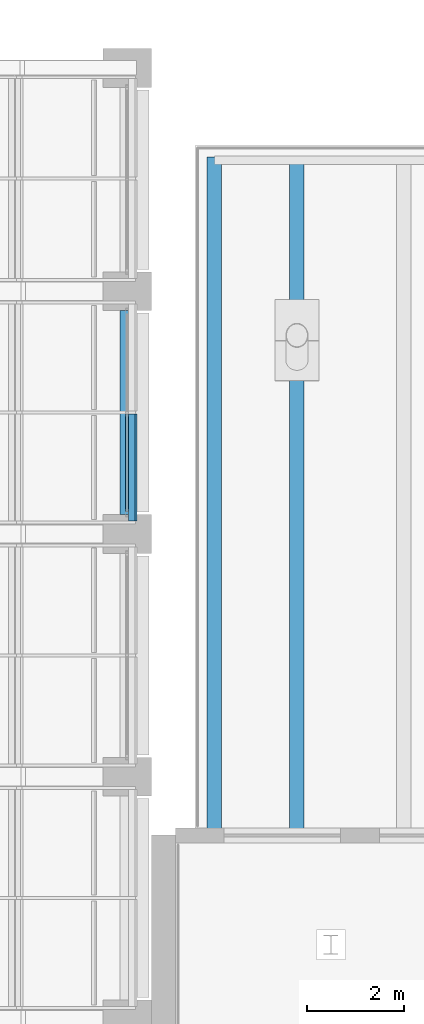
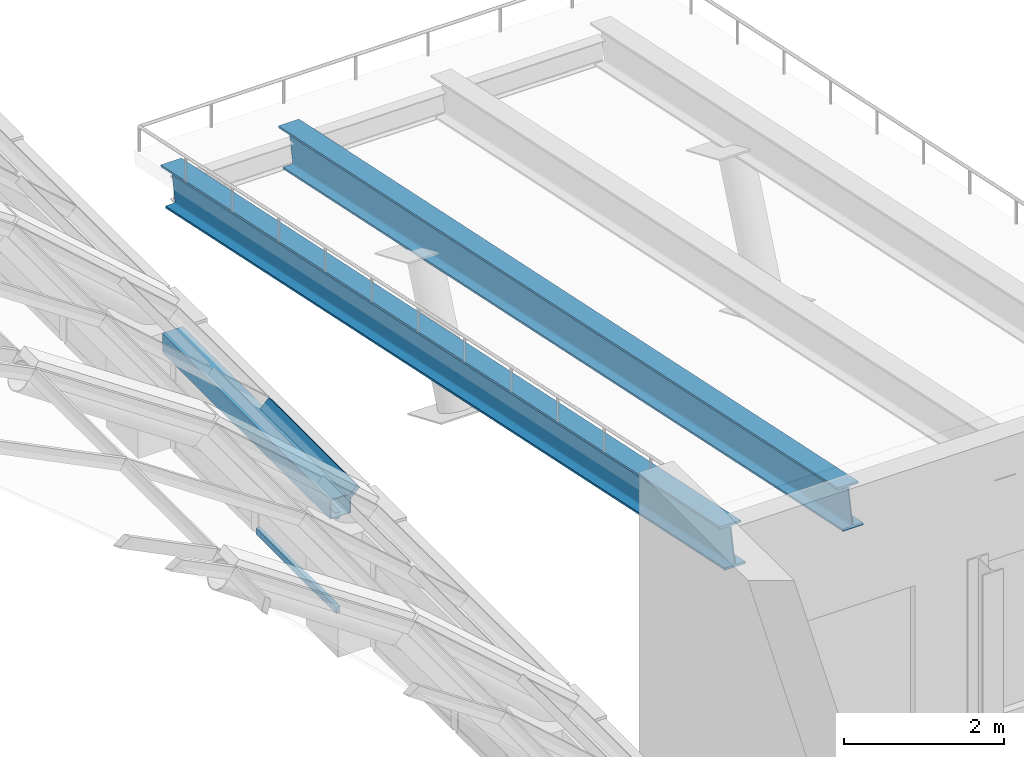
# One storey, part 85 of 182: 3 beams, 3 members, 2 elements without a shape of their own.
"""IFC4 building model written with IfcOpenShell, lengths in metres."""

from ifc_helpers import new_model, si_unit, direction, frame, origin, origin_2d, place, context, subcontext, project, spatial, rectangle, hollow_rectangle, i_section, extrude, material, material_profile, profile_set, type_object, element, aggregate, save


model = new_model("IFC4")

# Units and contexts
model_context = context("Model", 3, precision=1e-05, world=origin(), true_north=direction((0.0, 1.0)))
body_context = subcontext(model_context, "Body", "Model", "MODEL_VIEW")
ifc_project = project(units=[si_unit("LENGTHUNIT", "METRE"), si_unit("AREAUNIT", "SQUARE_METRE"), si_unit("VOLUMEUNIT", "CUBIC_METRE"), si_unit("PLANEANGLEUNIT", "RADIAN"), si_unit("MASSUNIT", "GRAM", prefix="KILO")], contexts=[model_context])

# Site, building, storey
site_placement = place(None, origin())
site = spatial("IfcSite", under=ifc_project, at=site_placement, CompositionType="ELEMENT")
building_placement = place(site_placement, origin())
building = spatial("IfcBuilding", under=site, at=building_placement, Name="Okhra Congress Centre", CompositionType="ELEMENT")
storey_placement = place(building_placement, frame((0.0, 0.0, 7.199951171875)))
storey = spatial("IfcBuildingStorey", under=building, at=storey_placement, Name="L01", CompositionType="ELEMENT", Elevation=7.199951171875)

# Curtain wall, member
ifc_material_1 = material(Name="Aluminium frame with triple glazing", Category="aluminium")
curtain_wall_type_1 = type_object("IfcCurtainWallType", Name="Glazed vault bay curtain wall", PredefinedType="NOTDEFINED", material=ifc_material_1)
curtain_wall_1_placement = place(storey_placement, origin())
curtain_wall_1 = element("IfcCurtainWall", 1, at=curtain_wall_1_placement, inside=storey, type_object=curtain_wall_type_1, Name="Vault glazing bay 27", PredefinedType="NOTDEFINED")
ifc_material_2 = material(Name="Aluminium alloy 6063", Category="aluminium")
ifc_material_profile_1 = material_profile(ifc_material_2, rectangle(XDim=0.06005859375, YDim=0.179931640625, at=origin_2d()), Name="AL 60x180 transom")
ifc_profile_set_1 = profile_set([ifc_material_profile_1], Name="Aluminium alloy 6063")
member_type_1 = type_object("IfcMemberType", Name="Aluminium transom 60x180", PredefinedType="USERDEFINED", material=ifc_profile_set_1)
member_1_placement = place(storey_placement, frame((189.117431640625, 206.26318359375, 1.916015625), z_axis=(0.0, 1.0, 0.0), x_axis=(-0.702636070549, 0.0, 0.711549402616)))
member_1 = element("IfcMember", 2, at=member_1_placement, type_object=member_type_1, Name="Vault transom 27.1.13", ObjectType="TRANSOM", PredefinedType="USERDEFINED", context=body_context, shape_type="SweptSolid", body=[
    extrude(rectangle(XDim=0.06005859375, YDim=0.179931640625, at=origin_2d()), origin(), (0.0, 0.0, 1.0), 2.206787109375),
])
aggregate(curtain_wall_1, [member_1])

# Curtain wall, members
ifc_material_3 = material(Name="Aluminium curtain wall, triple glazing", Category="aluminium")
curtain_wall_type_2 = type_object("IfcCurtainWallType", Name="Curtain wall 2100 module", PredefinedType="NOTDEFINED", material=ifc_material_3)
curtain_wall_2_placement = place(storey_placement, origin())
curtain_wall_2 = element("IfcCurtainWall", 3, at=curtain_wall_2_placement, inside=storey, type_object=curtain_wall_type_2, Name="East bay 8 clerestory glazing", PredefinedType="NOTDEFINED")
ifc_material_4 = material(Name="Aluminium alloy EN AW-6063 T66", Category="aluminium")
ifc_material_profile_2 = material_profile(ifc_material_4, hollow_rectangle(XDim=0.06005859375, YDim=0.10009765625, WallThickness=0.00390625, at=origin_2d()), Name="RHS 60x100x4")
ifc_profile_set_2 = profile_set([ifc_material_profile_2], Name="Aluminium alloy EN AW-6063 T66")
member_type_2 = type_object("IfcMemberType", Name="Curtain wall transom 60x100", PredefinedType="USERDEFINED", material=ifc_profile_set_2)
member_2_placement = place(storey_placement, frame((189.0, 206.4599609375, 0.030029296875), z_axis=(0.0, 1.0, 0.0), x_axis=(-1.0, 0.0, 0.0)))
member_2 = element("IfcMember", 4, at=member_2_placement, type_object=member_type_2, Name="CW4 transom 1.1", ObjectType="TRANSOM", PredefinedType="USERDEFINED", context=body_context, shape_type="SweptSolid", body=[
    extrude(hollow_rectangle(XDim=0.06005859375, YDim=0.10009765625, WallThickness=0.00390625, at=origin_2d()), origin(), (0.0, 0.0, 1.0), 2.010009765625),
])
member_3_placement = place(storey_placement, frame((189.0, 206.4599609375, 1.469970703125), z_axis=(0.0, 1.0, 0.0), x_axis=(-1.0, 0.0, 0.0)))
member_3 = element("IfcMember", 5, at=member_3_placement, type_object=member_type_2, Name="CW4 transom 1.2", ObjectType="TRANSOM", PredefinedType="USERDEFINED", context=body_context, shape_type="SweptSolid", body=[
    extrude(hollow_rectangle(XDim=0.06005859375, YDim=0.10009765625, WallThickness=0.00390625, at=origin_2d()), origin(), (0.0, 0.0, 1.0), 2.010009765625),
])
aggregate(curtain_wall_2, [member_2, member_3])

# Beams
ifc_material_5 = material(Name="Steel S355J2", Category="steel")
ifc_material_profile_3 = material_profile(ifc_material_5, i_section(OverallWidth=0.300048828125, OverallDepth=0.60009765625, WebThickness=0.015380859375, FlangeThickness=0.030029296875, FilletRadius=0.027099609375, at=origin_2d()), Name="HE 600 B")
ifc_profile_set_3 = profile_set([ifc_material_profile_3], Name="Steel S355J2")
beam_type_1 = type_object("IfcBeamType", Name="HE 600 B", PredefinedType="BEAM", material=ifc_profile_set_3)
for number, where, z_axis, x_axis, name in (
    (6, (190.800048828125, 199.699951171875, 4.48681640625), (0.0, 0.978420335295, -0.206624411629), (-1.0, 0.0, 0.0), "North canopy beam 1"),
    (7, (192.5, 199.699951171875, 4.48681640625), (0.0, 0.978420335295, -0.206624411629), (-1.0, 0.0, 0.0), "North canopy beam 2"),
):
    element("IfcBeam", number, at=place(storey_placement, frame(where, z_axis=z_axis, x_axis=x_axis)), inside=storey, type_object=beam_type_1, Name=name, PredefinedType="BEAM", context=body_context, shape_type="SweptSolid", body=[
        extrude(i_section(OverallWidth=0.300048828125, OverallDepth=0.60009765625, WebThickness=0.015380859375, FlangeThickness=0.030029296875, FilletRadius=0.027099609375, at=origin_2d()), origin(), (0.0, 0.0, 1.0), 14.308837890625),
    ])
ifc_material_profile_4 = material_profile(ifc_material_5, hollow_rectangle(XDim=0.300048828125, YDim=0.300048828125, WallThickness=0.012451171875, at=origin_2d()), Name="RHS 300x300x12.5")
ifc_profile_set_4 = profile_set([ifc_material_profile_4], Name="Steel S355J2")
beam_type_2 = type_object("IfcBeamType", Name="Steel eaves beam RHS 300x300x12.5", PredefinedType="BEAM", material=ifc_profile_set_4)
beam_placement = place(storey_placement, frame((189.0, 206.39990234375, 1.650146484375), z_axis=(0.0, 1.0, 0.0), x_axis=(-1.0, 0.0, 0.0)))
element("IfcBeam", 8, at=beam_placement, inside=storey, type_object=beam_type_2, Name="Eaves beam E27", PredefinedType="BEAM", context=body_context, shape_type="SweptSolid", body=[
    extrude(hollow_rectangle(XDim=0.300048828125, YDim=0.300048828125, WallThickness=0.012451171875, at=origin_2d()), origin(), (0.0, 0.0, 1.0), 4.2001953125),
])

save(model, "model.ifc")
